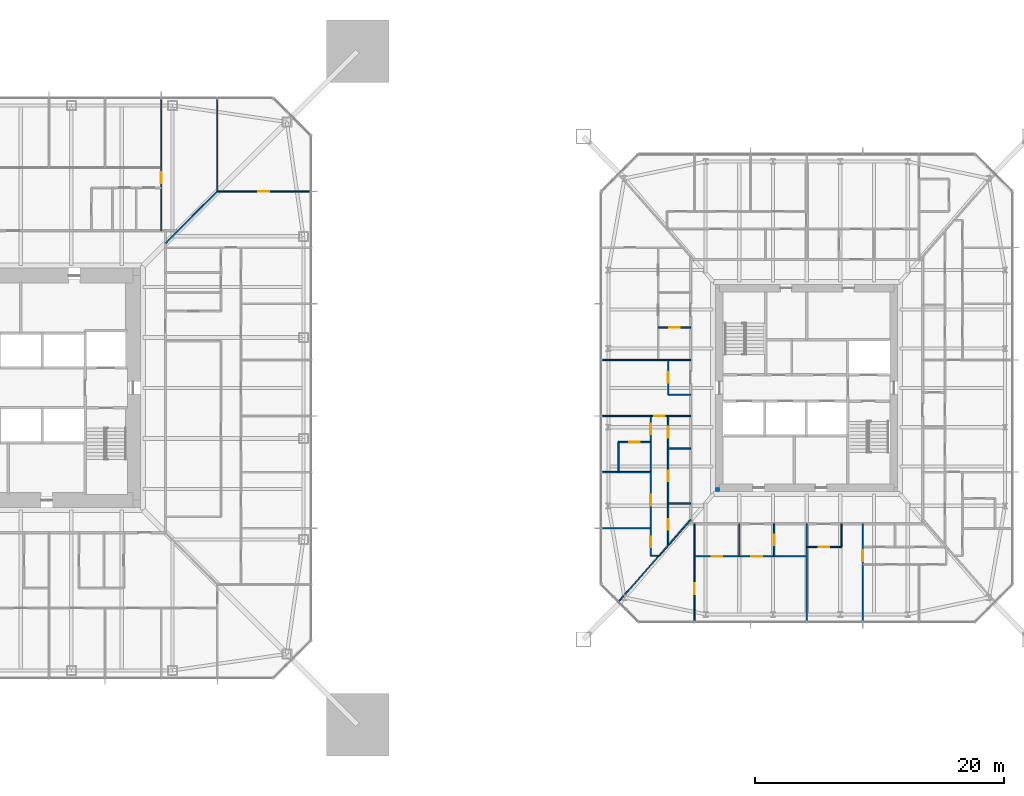
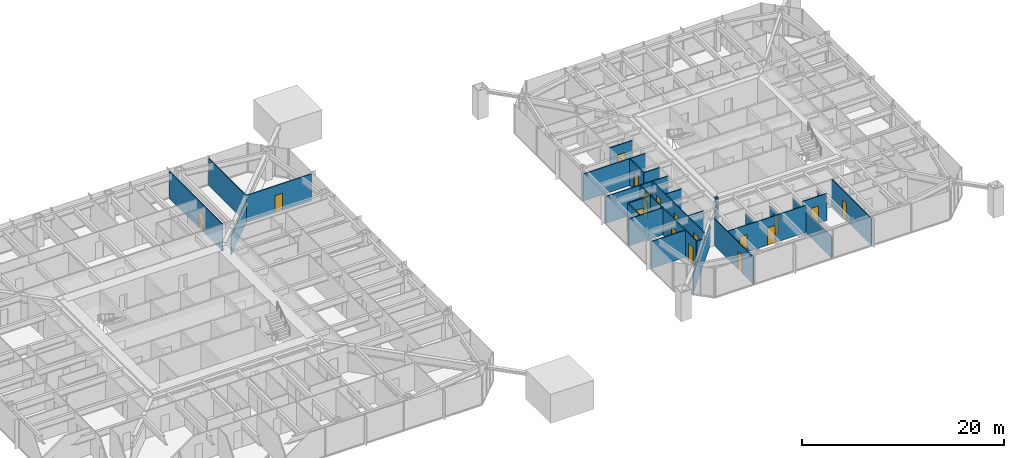
# One storey, part 18 of 26: 28 walls, 18 doors, 18 openings.
"""IFC4 building model written with IfcOpenShell, lengths in metres."""

from ifc_helpers import new_model, si_unit, direction, frame, frame_2d, origin, place, context, subcontext, project, spatial, rectangle, extrude, material, layer, layer_set, type_object, element, fill, save


model = new_model("IFC4")

# Units and contexts
model_context = context("Model", 3, precision=1e-05, world=origin(), true_north=direction((0.0, 1.0)))
body_context = subcontext(model_context, "Body", "Model", "MODEL_VIEW")
ifc_project = project(units=[si_unit("LENGTHUNIT", "METRE"), si_unit("AREAUNIT", "SQUARE_METRE"), si_unit("VOLUMEUNIT", "CUBIC_METRE"), si_unit("PLANEANGLEUNIT", "RADIAN"), si_unit("MASSUNIT", "GRAM", prefix="KILO")], contexts=[model_context])

# Site, building, storey
site_placement = place(None, origin())
site = spatial("IfcSite", under=ifc_project, at=site_placement, CompositionType="ELEMENT")
building_placement = place(site_placement, origin())
building = spatial("IfcBuilding", under=site, at=building_placement, Name="Iwan Alto Co-Living Towers", CompositionType="ELEMENT")
storey_placement = place(building_placement, frame((0.0, 0.0, 57.0)))
storey = spatial("IfcBuildingStorey", under=building, at=storey_placement, Name="L15", CompositionType="ELEMENT", Elevation=57.0)

# Wall, openings, doors
ifc_material_1 = material(Name="Gypsum board")
ifc_layer_1 = layer(ifc_material_1, 0.012451171875, Name="Board", Category="Finish")
ifc_material_2 = material(Name="Steel ASTM A1003 ST33H cold-formed studs", Category="steel")
ifc_layer_2 = layer(ifc_material_2, 0.074951171875, Name="Studs", Category="Framing")
ifc_layer_3 = layer(ifc_material_1, 0.012451171875, Name="Board", Category="Finish")
ifc_layer_set_1 = layer_set([ifc_layer_1, ifc_layer_2, ifc_layer_3], Name="PARTITION 100")
wall_type_1 = type_object("IfcWallType", Name="PARTITION 100", PredefinedType="PARTITIONING", material=ifc_layer_set_1)
wall_1_placement = place(storey_placement, frame((54.0, -13.5, 0.0), z_axis=(0.0, 0.0, 1.0), x_axis=(1.0, 0.0, 0.0)))
wall_1 = element("IfcWall", 1, at=wall_1_placement, inside=storey, type_object=wall_type_1, Name="Partition L15", PredefinedType="PARTITIONING", context=body_context, shape_type="SweptSolid", body=[
    extrude(rectangle(XDim=9.0, YDim=0.10009765625, at=frame_2d((4.5, 0.0))), origin(), (0.0, 0.0, 1.0), 3.27001953125),
])
opening_1_placement = place(wall_1_placement, frame((1.375, 0.0, 0.0)))
opening_1 = element("IfcOpeningElement", 2, at=opening_1_placement, cuts=wall_1, Name="Opening D2", PredefinedType="OPENING", context=body_context, shape_type="SweptSolid", body=[
    extrude(rectangle(XDim=0.85009765625, YDim=2.10009765625, at=frame_2d((0.425048828125, 1.050048828125))), frame((0.0, 0.06005859375, 0.0), z_axis=(0.0, -1.0, 0.0), x_axis=(1.0, 0.0, 0.0)), (0.0, 0.0, 1.0), 0.1201171875),
])
opening_2_placement = place(wall_1_placement, frame((4.574951171875, 0.0, 0.0)))
opening_2 = element("IfcOpeningElement", 3, at=opening_2_placement, cuts=wall_1, Name="Opening D2", PredefinedType="OPENING", context=body_context, shape_type="SweptSolid", body=[
    extrude(rectangle(XDim=0.85009765625, YDim=2.10009765625, at=frame_2d((0.425048828125, 1.050048828125))), frame((0.0, 0.06005859375, 0.0), z_axis=(0.0, -1.0, 0.0), x_axis=(1.0, 0.0, 0.0)), (0.0, 0.0, 1.0), 0.1201171875),
])
ifc_material_3 = material(Name="Timber leaf in steel frame", Category="steel")
door_type = type_object("IfcDoorType", Name="ROOM DOOR 850X2100", OperationType="SINGLE_SWING_LEFT", PredefinedType="DOOR", material=ifc_material_3)
door_1_placement = place(opening_1_placement, frame((0.85009765625, 0.0, 0.0), z_axis=(0.0, 0.0, 1.0), x_axis=(-1.0, 0.0, 0.0)))
door_1 = element("IfcDoor", 4, at=door_1_placement, inside=storey, type_object=door_type, Name="Kitchen door L15", OperationType="SINGLE_SWING_RIGHT", OverallHeight=2.10009765625, OverallWidth=0.85009765625, PredefinedType="DOOR", context=body_context, shape_type="SweptSolid", body=[
    extrude(rectangle(XDim=0.85009765625, YDim=2.10009765625, at=frame_2d((0.425048828125, 1.050048828125))), frame((0.0, 0.02490234375, 0.0), z_axis=(0.0, -1.0, 0.0), x_axis=(1.0, 0.0, 0.0)), (0.0, 0.0, 1.0), 0.050048828125),
])
fill(opening_1, door_1)
door_2_placement = place(opening_2_placement, frame((0.85009765625, 0.0, 0.0), z_axis=(0.0, 0.0, 1.0), x_axis=(-1.0, 0.0, 0.0)))
door_2 = element("IfcDoor", 5, at=door_2_placement, inside=storey, type_object=door_type, Name="Apartment foyer door L15", OperationType="SINGLE_SWING_LEFT", OverallHeight=2.10009765625, OverallWidth=0.85009765625, PredefinedType="DOOR", context=body_context, shape_type="SweptSolid", body=[
    extrude(rectangle(XDim=0.85009765625, YDim=2.10009765625, at=frame_2d((0.425048828125, 1.050048828125))), frame((0.0, 0.02490234375, 0.0), z_axis=(0.0, -1.0, 0.0), x_axis=(1.0, 0.0, 0.0)), (0.0, 0.0, 1.0), 0.050048828125),
])
fill(opening_2, door_2)

# Wall
wall_2_placement = place(storey_placement, frame((50.5, -13.449951171875, 0.0), z_axis=(0.0, 0.0, 1.0), x_axis=(1.0, 0.0, 0.0)))
element("IfcWall", 6, at=wall_2_placement, inside=storey, type_object=wall_type_1, Name="Partition L15", PredefinedType="PARTITIONING", context=body_context, shape_type="SweptSolid", body=[
    extrude(rectangle(XDim=0.6640625, YDim=0.10009765625, at=frame_2d((0.33203125, 0.0))), origin(), (0.0, 0.0, 1.0), 3.27001953125),
])

# Wall, opening, door
wall_3_placement = place(storey_placement, frame((63.0, -12.75, 0.0), z_axis=(0.0, 0.0, 1.0), x_axis=(1.0, 0.0, 0.0)))
wall_3 = element("IfcWall", 7, at=wall_3_placement, inside=storey, type_object=wall_type_1, Name="Partition L15", PredefinedType="PARTITIONING", context=body_context, shape_type="SweptSolid", body=[
    extrude(rectangle(XDim=2.800048828125, YDim=0.10009765625, at=frame_2d((1.39990234375, 0.0))), origin(), (0.0, 0.0, 1.0), 3.27001953125),
])
opening_3_placement = place(wall_3_placement, frame((0.97509765625, 0.0, 0.0)))
opening_3 = element("IfcOpeningElement", 8, at=opening_3_placement, cuts=wall_3, Name="Opening D2", PredefinedType="OPENING", context=body_context, shape_type="SweptSolid", body=[
    extrude(rectangle(XDim=0.85009765625, YDim=2.10009765625, at=frame_2d((0.425048828125, 1.050048828125))), frame((0.0, 0.06005859375, 0.0), z_axis=(0.0, -1.0, 0.0), x_axis=(1.0, 0.0, 0.0)), (0.0, 0.0, 1.0), 0.1201171875),
])
door_3_placement = place(opening_3_placement, frame((0.85009765625, 0.0, 0.0), z_axis=(0.0, 0.0, 1.0), x_axis=(-1.0, 0.0, 0.0)))
door_3 = element("IfcDoor", 9, at=door_3_placement, inside=storey, type_object=door_type, Name="Apartment foyer door L15", OperationType="SINGLE_SWING_RIGHT", OverallHeight=2.10009765625, OverallWidth=0.85009765625, PredefinedType="DOOR", context=body_context, shape_type="SweptSolid", body=[
    extrude(rectangle(XDim=0.85009765625, YDim=2.10009765625, at=frame_2d((0.425048828125, 1.050048828125))), frame((0.0, 0.02490234375, 0.0), z_axis=(0.0, -1.0, 0.0), x_axis=(1.0, 0.0, 0.0)), (0.0, 0.0, 1.0), 0.050048828125),
])
fill(opening_3, door_3)

# Wall
wall_4_placement = place(storey_placement, frame((46.56005859375, -11.25, 0.0), z_axis=(0.0, 0.0, 1.0), x_axis=(1.0, 0.0, 0.0)))
element("IfcWall", 10, at=wall_4_placement, inside=storey, type_object=wall_type_1, Name="Partition L15", PredefinedType="PARTITIONING", context=body_context, shape_type="SweptSolid", body=[
    extrude(rectangle(XDim=3.93994140625, YDim=0.10009765625, at=frame_2d((1.969970703125, 0.0))), origin(), (0.0, 0.0, 1.0), 3.27001953125),
])

# Wall, opening, door
wall_5_placement = place(storey_placement, frame((46.56005859375, -2.25, 0.0), z_axis=(0.0, 0.0, 1.0), x_axis=(1.0, 0.0, 0.0)))
wall_5 = element("IfcWall", 11, at=wall_5_placement, inside=storey, type_object=wall_type_1, Name="Partition L15", PredefinedType="PARTITIONING", context=body_context, shape_type="SweptSolid", body=[
    extrude(rectangle(XDim=7.139892578125, YDim=0.10009765625, at=frame_2d((3.56982421875, 0.0))), origin(), (0.0, 0.0, 1.0), 3.27001953125),
])
opening_4_placement = place(wall_5_placement, frame((4.215087890625, 0.0, 0.0)))
opening_4 = element("IfcOpeningElement", 12, at=opening_4_placement, cuts=wall_5, Name="Opening D2", PredefinedType="OPENING", context=body_context, shape_type="SweptSolid", body=[
    extrude(rectangle(XDim=0.85009765625, YDim=2.10009765625, at=frame_2d((0.425048828125, 1.050048828125))), frame((0.0, 0.06005859375, 0.0), z_axis=(0.0, -1.0, 0.0), x_axis=(1.0, 0.0, 0.0)), (0.0, 0.0, 1.0), 0.1201171875),
])
door_4_placement = place(opening_4_placement, origin())
door_4 = element("IfcDoor", 13, at=door_4_placement, inside=storey, type_object=door_type, Name="Apartment hall door L15", OperationType="SINGLE_SWING_RIGHT", OverallHeight=2.10009765625, OverallWidth=0.85009765625, PredefinedType="DOOR", context=body_context, shape_type="SweptSolid", body=[
    extrude(rectangle(XDim=0.85009765625, YDim=2.10009765625, at=frame_2d((0.425048828125, 1.050048828125))), frame((0.0, 0.02490234375, 0.0), z_axis=(0.0, -1.0, 0.0), x_axis=(1.0, 0.0, 0.0)), (0.0, 0.0, 1.0), 0.050048828125),
])
fill(opening_4, door_4)

# Walls
wall_6_placement = place(storey_placement, frame((51.89990234375, -0.550048828125, 0.0), z_axis=(0.0, 0.0, 1.0), x_axis=(1.0, 0.0, 0.0)))
element("IfcWall", 14, at=wall_6_placement, inside=storey, type_object=wall_type_1, Name="Partition L15", PredefinedType="PARTITIONING", context=body_context, shape_type="SweptSolid", body=[
    extrude(rectangle(XDim=1.800048828125, YDim=0.10009765625, at=frame_2d((0.89990234375, 0.0))), origin(), (0.0, 0.0, 1.0), 3.27001953125),
])
wall_7_placement = place(storey_placement, frame((46.56005859375, 2.25, 0.0), z_axis=(0.0, 0.0, 1.0), x_axis=(1.0, 0.0, 0.0)))
element("IfcWall", 15, at=wall_7_placement, inside=storey, type_object=wall_type_1, Name="Partition L15", PredefinedType="PARTITIONING", context=body_context, shape_type="SweptSolid", body=[
    extrude(rectangle(XDim=7.139892578125, YDim=0.10009765625, at=frame_2d((3.56982421875, 0.0))), origin(), (0.0, 0.0, 1.0), 3.27001953125),
])

# Wall, opening, door
wall_8_placement = place(storey_placement, frame((15.75, 15.75, 0.0), z_axis=(0.0, 0.0, 1.0), x_axis=(1.0, 0.0, 0.0)))
wall_8 = element("IfcWall", 16, at=wall_8_placement, inside=storey, type_object=wall_type_1, Name="Partition L15", PredefinedType="PARTITIONING", context=body_context, shape_type="SweptSolid", body=[
    extrude(rectangle(XDim=7.43994140625, YDim=0.10009765625, at=frame_2d((3.719970703125, 0.0))), origin(), (0.0, 0.0, 1.0), 3.27001953125),
])
opening_5_placement = place(wall_8_placement, frame((3.294921875, 0.0, 0.0)))
opening_5 = element("IfcOpeningElement", 17, at=opening_5_placement, cuts=wall_8, Name="Opening D2", PredefinedType="OPENING", context=body_context, shape_type="SweptSolid", body=[
    extrude(rectangle(XDim=0.85009765625, YDim=2.10009765625, at=frame_2d((0.425048828125, 1.050048828125))), frame((0.0, 0.06005859375, 0.0), z_axis=(0.0, -1.0, 0.0), x_axis=(1.0, 0.0, 0.0)), (0.0, 0.0, 1.0), 0.1201171875),
])
door_5_placement = place(opening_5_placement, origin())
door_5 = element("IfcDoor", 18, at=door_5_placement, inside=storey, type_object=door_type, Name="Shared kitchen and lounge door L15", OperationType="SINGLE_SWING_LEFT", OverallHeight=2.10009765625, OverallWidth=0.85009765625, PredefinedType="DOOR", context=body_context, shape_type="SweptSolid", body=[
    extrude(rectangle(XDim=0.85009765625, YDim=2.10009765625, at=frame_2d((0.425048828125, 1.050048828125))), frame((0.0, 0.02490234375, 0.0), z_axis=(0.0, -1.0, 0.0), x_axis=(1.0, 0.0, 0.0)), (0.0, 0.0, 1.0), 0.050048828125),
])
fill(opening_5, door_5)

# Walls
wall_9_placement = place(storey_placement, frame((11.60009765625, 11.60009765625, 0.0), z_axis=(0.0, 0.0, 1.0), x_axis=(0.707106781187, 0.707106781187, 0.0)))
element("IfcWall", 19, at=wall_9_placement, inside=storey, type_object=wall_type_1, Name="Partition L15", PredefinedType="PARTITIONING", context=body_context, shape_type="SweptSolid", body=[
    extrude(rectangle(XDim=5.868896484375, YDim=0.10009765625, at=frame_2d((2.9345703125, 0.0))), origin(), (0.0, 0.0, 1.0), 2.343017578125),
])
wall_10_placement = place(storey_placement, frame((47.944091796875, -17.10888671875, 0.0), z_axis=(0.0, 0.0, 1.0), x_axis=(0.660612734851, 0.750726857487, 0.0)))
element("IfcWall", 20, at=wall_10_placement, inside=storey, type_object=wall_type_1, Name="Partition L15", PredefinedType="PARTITIONING", context=body_context, shape_type="SweptSolid", body=[
    extrude(rectangle(XDim=8.712890625, YDim=0.10009765625, at=frame_2d((4.3564453125, 0.0))), origin(), (0.0, 0.0, 1.0), 2.42919921875),
])

# Wall, opening, door
wall_11_placement = place(storey_placement, frame((67.5, -18.68994140625, 0.0), z_axis=(0.0, 0.0, 1.0), x_axis=(0.0, 1.0, 0.0)))
wall_11 = element("IfcWall", 21, at=wall_11_placement, inside=storey, type_object=wall_type_1, Name="Partition L15", PredefinedType="PARTITIONING", context=body_context, shape_type="SweptSolid", body=[
    extrude(rectangle(XDim=7.7900390625, YDim=0.10009765625, at=frame_2d((3.89501953125, 0.0))), origin(), (0.0, 0.0, 1.0), 3.27001953125),
])
opening_6_placement = place(wall_11_placement, frame((4.81494140625, 0.0, 0.0)))
opening_6 = element("IfcOpeningElement", 22, at=opening_6_placement, cuts=wall_11, Name="Opening D2", PredefinedType="OPENING", context=body_context, shape_type="SweptSolid", body=[
    extrude(rectangle(XDim=0.85009765625, YDim=2.10009765625, at=frame_2d((0.425048828125, 1.050048828125))), frame((0.0, 0.06005859375, 0.0), z_axis=(0.0, -1.0, 0.0), x_axis=(1.0, 0.0, 0.0)), (0.0, 0.0, 1.0), 0.1201171875),
])
door_6_placement = place(opening_6_placement, origin())
door_6 = element("IfcDoor", 23, at=door_6_placement, inside=storey, type_object=door_type, Name="Apartment hall door L15", OperationType="SINGLE_SWING_RIGHT", OverallHeight=2.10009765625, OverallWidth=0.85009765625, PredefinedType="DOOR", context=body_context, shape_type="SweptSolid", body=[
    extrude(rectangle(XDim=0.85009765625, YDim=2.10009765625, at=frame_2d((0.425048828125, 1.050048828125))), frame((0.0, 0.02490234375, 0.0), z_axis=(0.0, -1.0, 0.0), x_axis=(1.0, 0.0, 0.0)), (0.0, 0.0, 1.0), 0.050048828125),
])
fill(opening_6, door_6)

# Walls
wall_12_placement = place(storey_placement, frame((65.800048828125, -12.75, 0.0), z_axis=(0.0, 0.0, 1.0), x_axis=(0.0, 1.0, 0.0)))
element("IfcWall", 24, at=wall_12_placement, inside=storey, type_object=wall_type_1, Name="Partition L15", PredefinedType="PARTITIONING", context=body_context, shape_type="SweptSolid", body=[
    extrude(rectangle(XDim=1.85009765625, YDim=0.10009765625, at=frame_2d((0.925048828125, 0.0))), origin(), (0.0, 0.0, 1.0), 2.508056640625),
])
wall_13_placement = place(storey_placement, frame((63.0, -18.68994140625, 0.0), z_axis=(0.0, 0.0, 1.0), x_axis=(0.0, 1.0, 0.0)))
element("IfcWall", 25, at=wall_13_placement, inside=storey, type_object=wall_type_1, Name="Partition L15", PredefinedType="PARTITIONING", context=body_context, shape_type="SweptSolid", body=[
    extrude(rectangle(XDim=7.7900390625, YDim=0.10009765625, at=frame_2d((3.89501953125, 0.0))), origin(), (0.0, 0.0, 1.0), 2.586669921875),
])
wall_14_placement = place(storey_placement, frame((57.60009765625, -13.5, 0.0), z_axis=(0.0, 0.0, 1.0), x_axis=(0.0, 1.0, 0.0)))
element("IfcWall", 26, at=wall_14_placement, inside=storey, type_object=wall_type_1, Name="Partition L15", PredefinedType="PARTITIONING", context=body_context, shape_type="SweptSolid", body=[
    extrude(rectangle(XDim=2.60009765625, YDim=0.10009765625, at=frame_2d((1.300048828125, 0.0))), origin(), (0.0, 0.0, 1.0), 2.586669921875),
])

# Wall, opening, door
wall_15_placement = place(storey_placement, frame((54.0, -18.68994140625, 0.0), z_axis=(0.0, 0.0, 1.0), x_axis=(0.0, 1.0, 0.0)))
wall_15 = element("IfcWall", 27, at=wall_15_placement, inside=storey, type_object=wall_type_1, Name="Partition L15", PredefinedType="PARTITIONING", context=body_context, shape_type="SweptSolid", body=[
    extrude(rectangle(XDim=7.7900390625, YDim=0.10009765625, at=frame_2d((3.89501953125, 0.0))), origin(), (0.0, 0.0, 1.0), 3.27001953125),
])
opening_7_placement = place(wall_15_placement, frame((2.169921875, 0.0, 0.0)))
opening_7 = element("IfcOpeningElement", 28, at=opening_7_placement, cuts=wall_15, Name="Opening D2", PredefinedType="OPENING", context=body_context, shape_type="SweptSolid", body=[
    extrude(rectangle(XDim=0.85009765625, YDim=2.10009765625, at=frame_2d((0.425048828125, 1.050048828125))), frame((0.0, 0.06005859375, 0.0), z_axis=(0.0, -1.0, 0.0), x_axis=(1.0, 0.0, 0.0)), (0.0, 0.0, 1.0), 0.1201171875),
])
door_7_placement = place(opening_7_placement, frame((0.85009765625, 0.0, 0.0), z_axis=(0.0, 0.0, 1.0), x_axis=(-1.0, 0.0, 0.0)))
door_7 = element("IfcDoor", 29, at=door_7_placement, inside=storey, type_object=door_type, Name="Bedroom door L15", OperationType="SINGLE_SWING_LEFT", OverallHeight=2.10009765625, OverallWidth=0.85009765625, PredefinedType="DOOR", context=body_context, shape_type="SweptSolid", body=[
    extrude(rectangle(XDim=0.85009765625, YDim=2.10009765625, at=frame_2d((0.425048828125, 1.050048828125))), frame((0.0, 0.02490234375, 0.0), z_axis=(0.0, -1.0, 0.0), x_axis=(1.0, 0.0, 0.0)), (0.0, 0.0, 1.0), 0.050048828125),
])
fill(opening_7, door_7)

wall_16_placement = place(storey_placement, frame((51.89990234375, -0.550048828125, 0.0), z_axis=(0.0, 0.0, 1.0), x_axis=(0.0, 1.0, 0.0)))
wall_16 = element("IfcWall", 30, at=wall_16_placement, inside=storey, type_object=wall_type_1, Name="Partition L15", PredefinedType="PARTITIONING", context=body_context, shape_type="SweptSolid", body=[
    extrude(rectangle(XDim=2.800048828125, YDim=0.10009765625, at=frame_2d((1.39990234375, 0.0))), origin(), (0.0, 0.0, 1.0), 3.27001953125),
])
opening_8_placement = place(wall_16_placement, frame((0.97509765625, 0.0, 0.0)))
opening_8 = element("IfcOpeningElement", 31, at=opening_8_placement, cuts=wall_16, Name="Opening D2", PredefinedType="OPENING", context=body_context, shape_type="SweptSolid", body=[
    extrude(rectangle(XDim=0.85009765625, YDim=2.10009765625, at=frame_2d((0.425048828125, 1.050048828125))), frame((0.0, 0.06005859375, 0.0), z_axis=(0.0, -1.0, 0.0), x_axis=(1.0, 0.0, 0.0)), (0.0, 0.0, 1.0), 0.1201171875),
])
door_8_placement = place(opening_8_placement, origin())
door_8 = element("IfcDoor", 32, at=door_8_placement, inside=storey, type_object=door_type, Name="Apartment foyer door L15", OperationType="SINGLE_SWING_RIGHT", OverallHeight=2.10009765625, OverallWidth=0.85009765625, PredefinedType="DOOR", context=body_context, shape_type="SweptSolid", body=[
    extrude(rectangle(XDim=0.85009765625, YDim=2.10009765625, at=frame_2d((0.425048828125, 1.050048828125))), frame((0.0, 0.02490234375, 0.0), z_axis=(0.0, -1.0, 0.0), x_axis=(1.0, 0.0, 0.0)), (0.0, 0.0, 1.0), 0.050048828125),
])
fill(opening_8, door_8)

# Wall, openings, doors
wall_17_placement = place(storey_placement, frame((50.5, -13.449951171875, 0.0), z_axis=(0.0, 0.0, 1.0), x_axis=(0.0, 1.0, 0.0)))
wall_17 = element("IfcWall", 33, at=wall_17_placement, inside=storey, type_object=wall_type_1, Name="Partition L15", PredefinedType="PARTITIONING", context=body_context, shape_type="SweptSolid", body=[
    extrude(rectangle(XDim=11.199951171875, YDim=0.10009765625, at=frame_2d((5.60009765625, 0.0))), origin(), (0.0, 0.0, 1.0), 3.27001953125),
])
opening_9_placement = place(wall_17_placement, frame((9.72509765625, 0.0, 0.0)))
opening_9 = element("IfcOpeningElement", 34, at=opening_9_placement, cuts=wall_17, Name="Opening D2", PredefinedType="OPENING", context=body_context, shape_type="SweptSolid", body=[
    extrude(rectangle(XDim=0.85009765625, YDim=2.10009765625, at=frame_2d((0.425048828125, 1.050048828125))), frame((0.0, 0.06005859375, 0.0), z_axis=(0.0, -1.0, 0.0), x_axis=(1.0, 0.0, 0.0)), (0.0, 0.0, 1.0), 0.1201171875),
])
opening_10_placement = place(wall_17_placement, frame((4.02490234375, 0.0, 0.0)))
opening_10 = element("IfcOpeningElement", 35, at=opening_10_placement, cuts=wall_17, Name="Opening D2", PredefinedType="OPENING", context=body_context, shape_type="SweptSolid", body=[
    extrude(rectangle(XDim=0.85009765625, YDim=2.10009765625, at=frame_2d((0.425048828125, 1.050048828125))), frame((0.0, 0.06005859375, 0.0), z_axis=(0.0, -1.0, 0.0), x_axis=(1.0, 0.0, 0.0)), (0.0, 0.0, 1.0), 0.1201171875),
])
opening_11_placement = place(wall_17_placement, frame((0.675048828125, 0.0, 0.0)))
opening_11 = element("IfcOpeningElement", 36, at=opening_11_placement, cuts=wall_17, Name="Opening D2", PredefinedType="OPENING", context=body_context, shape_type="SweptSolid", body=[
    extrude(rectangle(XDim=0.85009765625, YDim=2.10009765625, at=frame_2d((0.425048828125, 1.050048828125))), frame((0.0, 0.06005859375, 0.0), z_axis=(0.0, -1.0, 0.0), x_axis=(1.0, 0.0, 0.0)), (0.0, 0.0, 1.0), 0.1201171875),
])
door_9_placement = place(opening_9_placement, origin())
door_9 = element("IfcDoor", 37, at=door_9_placement, inside=storey, type_object=door_type, Name="Bedroom door L15", OperationType="SINGLE_SWING_LEFT", OverallHeight=2.10009765625, OverallWidth=0.85009765625, PredefinedType="DOOR", context=body_context, shape_type="SweptSolid", body=[
    extrude(rectangle(XDim=0.85009765625, YDim=2.10009765625, at=frame_2d((0.425048828125, 1.050048828125))), frame((0.0, 0.02490234375, 0.0), z_axis=(0.0, -1.0, 0.0), x_axis=(1.0, 0.0, 0.0)), (0.0, 0.0, 1.0), 0.050048828125),
])
fill(opening_9, door_9)
door_10_placement = place(opening_10_placement, origin())
door_10 = element("IfcDoor", 38, at=door_10_placement, inside=storey, type_object=door_type, Name="Bedroom door L15", OperationType="SINGLE_SWING_LEFT", OverallHeight=2.10009765625, OverallWidth=0.85009765625, PredefinedType="DOOR", context=body_context, shape_type="SweptSolid", body=[
    extrude(rectangle(XDim=0.85009765625, YDim=2.10009765625, at=frame_2d((0.425048828125, 1.050048828125))), frame((0.0, 0.02490234375, 0.0), z_axis=(0.0, -1.0, 0.0), x_axis=(1.0, 0.0, 0.0)), (0.0, 0.0, 1.0), 0.050048828125),
])
fill(opening_10, door_10)
door_11_placement = place(opening_11_placement, origin())
door_11 = element("IfcDoor", 39, at=door_11_placement, inside=storey, type_object=door_type, Name="Bedroom door L15", OperationType="SINGLE_SWING_RIGHT", OverallHeight=2.10009765625, OverallWidth=0.85009765625, PredefinedType="DOOR", context=body_context, shape_type="SweptSolid", body=[
    extrude(rectangle(XDim=0.85009765625, YDim=2.10009765625, at=frame_2d((0.425048828125, 1.050048828125))), frame((0.0, 0.02490234375, 0.0), z_axis=(0.0, -1.0, 0.0), x_axis=(1.0, 0.0, 0.0)), (0.0, 0.0, 1.0), 0.050048828125),
])
fill(opening_11, door_11)

# Wall
wall_18_placement = place(storey_placement, frame((15.75, 15.75, 0.0), z_axis=(0.0, 0.0, 1.0), x_axis=(0.0, 1.0, 0.0)))
element("IfcWall", 40, at=wall_18_placement, inside=storey, type_object=wall_type_1, Name="Partition L15", PredefinedType="PARTITIONING", context=body_context, shape_type="SweptSolid", body=[
    extrude(rectangle(XDim=7.43994140625, YDim=0.10009765625, at=frame_2d((3.719970703125, 0.0))), origin(), (0.0, 0.0, 1.0), 3.27001953125),
])

# Wall, opening, door
wall_19_placement = place(storey_placement, frame((11.25, 12.60009765625, 0.0), z_axis=(0.0, 0.0, 1.0), x_axis=(0.0, 1.0, 0.0)))
wall_19 = element("IfcWall", 41, at=wall_19_placement, inside=storey, type_object=wall_type_1, Name="Partition L15", PredefinedType="PARTITIONING", context=body_context, shape_type="SweptSolid", body=[
    extrude(rectangle(XDim=10.58984375, YDim=0.10009765625, at=frame_2d((5.294921875, 0.0))), origin(), (0.0, 0.0, 1.0), 3.27001953125),
])
opening_12_placement = place(wall_19_placement, frame((3.824951171875, 0.0, 0.0)))
opening_12 = element("IfcOpeningElement", 42, at=opening_12_placement, cuts=wall_19, Name="Opening D2", PredefinedType="OPENING", context=body_context, shape_type="SweptSolid", body=[
    extrude(rectangle(XDim=0.85009765625, YDim=2.10009765625, at=frame_2d((0.425048828125, 1.050048828125))), frame((0.0, 0.06005859375, 0.0), z_axis=(0.0, -1.0, 0.0), x_axis=(1.0, 0.0, 0.0)), (0.0, 0.0, 1.0), 0.1201171875),
])
door_12_placement = place(opening_12_placement, origin())
door_12 = element("IfcDoor", 43, at=door_12_placement, inside=storey, type_object=door_type, Name="Teaching kitchen door L15", OperationType="SINGLE_SWING_LEFT", OverallHeight=2.10009765625, OverallWidth=0.85009765625, PredefinedType="DOOR", context=body_context, shape_type="SweptSolid", body=[
    extrude(rectangle(XDim=0.85009765625, YDim=2.10009765625, at=frame_2d((0.425048828125, 1.050048828125))), frame((0.0, 0.02490234375, 0.0), z_axis=(0.0, -1.0, 0.0), x_axis=(1.0, 0.0, 0.0)), (0.0, 0.0, 1.0), 0.050048828125),
])
fill(opening_12, door_12)

# Walls
ifc_material_4 = material(Name="Concrete f'c 70 MPa", Category="concrete")
ifc_layer_4 = layer(ifc_material_4, 0.300048828125)
ifc_layer_set_2 = layer_set([ifc_layer_4], Name="T2 CORE CORNER FILL 300")
wall_type_2 = type_object("IfcWallType", Name="T2 CORE CORNER FILL 300", PredefinedType="SOLIDWALL", material=ifc_layer_set_2)
wall_20_placement = place(storey_placement, frame((55.699951171875, -8.14990234375, 0.0), z_axis=(0.0, 0.0, 1.0), x_axis=(1.0, 0.0, 0.0)))
element("IfcWall", 44, at=wall_20_placement, inside=storey, type_object=wall_type_2, Name="T2 core corner SW L15", PredefinedType="SOLIDWALL", context=body_context, shape_type="SweptSolid", body=[
    extrude(rectangle(XDim=0.300048828125, YDim=0.300048828125, at=frame_2d((0.14990234375, 0.0))), origin(), (0.0, 0.0, 1.0), 3.5),
])
ifc_material_5 = material(Name="Cement board")
ifc_layer_5 = layer(ifc_material_5, 0.012451171875, Name="Board", Category="Finish")
ifc_layer_6 = layer(ifc_material_2, 0.094970703125, Name="Studs", Category="Framing")
ifc_layer_7 = layer(ifc_material_5, 0.012451171875, Name="Board", Category="Finish")
ifc_layer_set_3 = layer_set([ifc_layer_5, ifc_layer_6, ifc_layer_7], Name="WET AREA PARTITION 120")
wall_type_3 = type_object("IfcWallType", Name="WET AREA PARTITION 120", PredefinedType="PARTITIONING", material=ifc_layer_set_3)
wall_21_placement = place(storey_placement, frame((51.89990234375, -9.25, 0.0), z_axis=(0.0, 0.0, 1.0), x_axis=(1.0, 0.0, 0.0)))
element("IfcWall", 45, at=wall_21_placement, inside=storey, type_object=wall_type_3, Name="Partition L15", PredefinedType="PARTITIONING", context=body_context, shape_type="SweptSolid", body=[
    extrude(rectangle(XDim=1.800048828125, YDim=0.1201171875, at=frame_2d((0.89990234375, 0.0))), origin(), (0.0, 0.0, 1.0), 3.27001953125),
])
wall_22_placement = place(storey_placement, frame((46.56005859375, -6.75, 0.0), z_axis=(0.0, 0.0, 1.0), x_axis=(1.0, 0.0, 0.0)))
element("IfcWall", 46, at=wall_22_placement, inside=storey, type_object=wall_type_3, Name="Partition L15", PredefinedType="PARTITIONING", context=body_context, shape_type="SweptSolid", body=[
    extrude(rectangle(XDim=3.93994140625, YDim=0.1201171875, at=frame_2d((1.969970703125, 0.0))), origin(), (0.0, 0.0, 1.0), 3.27001953125),
])
wall_23_placement = place(storey_placement, frame((51.89990234375, -4.85009765625, 0.0), z_axis=(0.0, 0.0, 1.0), x_axis=(1.0, 0.0, 0.0)))
element("IfcWall", 47, at=wall_23_placement, inside=storey, type_object=wall_type_3, Name="Partition L15", PredefinedType="PARTITIONING", context=body_context, shape_type="SweptSolid", body=[
    extrude(rectangle(XDim=1.800048828125, YDim=0.1201171875, at=frame_2d((0.89990234375, 0.0))), origin(), (0.0, 0.0, 1.0), 3.27001953125),
])

# Wall, opening, door
wall_24_placement = place(storey_placement, frame((47.89990234375, -4.35009765625, 0.0), z_axis=(0.0, 0.0, 1.0), x_axis=(1.0, 0.0, 0.0)))
wall_24 = element("IfcWall", 48, at=wall_24_placement, inside=storey, type_object=wall_type_3, Name="Partition L15", PredefinedType="PARTITIONING", context=body_context, shape_type="SweptSolid", body=[
    extrude(rectangle(XDim=2.60009765625, YDim=0.1201171875, at=frame_2d((1.300048828125, 0.0))), origin(), (0.0, 0.0, 1.0), 3.27001953125),
])
opening_13_placement = place(wall_24_placement, frame((0.875, 0.0, 0.0)))
opening_13 = element("IfcOpeningElement", 49, at=opening_13_placement, cuts=wall_24, Name="Opening D2", PredefinedType="OPENING", context=body_context, shape_type="SweptSolid", body=[
    extrude(rectangle(XDim=0.85009765625, YDim=2.10009765625, at=frame_2d((0.425048828125, 1.050048828125))), frame((0.0, 0.070068359375, 0.0), z_axis=(0.0, -1.0, 0.0), x_axis=(1.0, 0.0, 0.0)), (0.0, 0.0, 1.0), 0.14013671875),
])
door_13_placement = place(opening_13_placement, origin())
door_13 = element("IfcDoor", 50, at=door_13_placement, inside=storey, type_object=door_type, Name="En-suite shower room door L15", OperationType="SINGLE_SWING_RIGHT", OverallHeight=2.10009765625, OverallWidth=0.85009765625, PredefinedType="DOOR", context=body_context, shape_type="SweptSolid", body=[
    extrude(rectangle(XDim=0.85009765625, YDim=2.10009765625, at=frame_2d((0.425048828125, 1.050048828125))), frame((0.0, 0.02490234375, 0.0), z_axis=(0.0, -1.0, 0.0), x_axis=(1.0, 0.0, 0.0)), (0.0, 0.0, 1.0), 0.050048828125),
])
fill(opening_13, door_13)

wall_25_placement = place(storey_placement, frame((51.10009765625, 4.85009765625, 0.0), z_axis=(0.0, 0.0, 1.0), x_axis=(1.0, 0.0, 0.0)))
wall_25 = element("IfcWall", 51, at=wall_25_placement, inside=storey, type_object=wall_type_3, Name="Partition L15", PredefinedType="PARTITIONING", context=body_context, shape_type="SweptSolid", body=[
    extrude(rectangle(XDim=2.599853515625, YDim=0.1201171875, at=frame_2d((1.2998046875, 0.0))), origin(), (0.0, 0.0, 1.0), 3.27001953125),
])
opening_14_placement = place(wall_25_placement, frame((0.875, 0.0, 0.0)))
opening_14 = element("IfcOpeningElement", 52, at=opening_14_placement, cuts=wall_25, Name="Opening D2", PredefinedType="OPENING", context=body_context, shape_type="SweptSolid", body=[
    extrude(rectangle(XDim=0.85009765625, YDim=2.10009765625, at=frame_2d((0.425048828125, 1.050048828125))), frame((0.0, 0.070068359375, 0.0), z_axis=(0.0, -1.0, 0.0), x_axis=(1.0, 0.0, 0.0)), (0.0, 0.0, 1.0), 0.14013671875),
])
door_14_placement = place(opening_14_placement, frame((0.85009765625, 0.0, 0.0), z_axis=(0.0, 0.0, 1.0), x_axis=(-1.0, 0.0, 0.0)))
door_14 = element("IfcDoor", 53, at=door_14_placement, inside=storey, type_object=door_type, Name="Bathroom door L15", OperationType="SINGLE_SWING_RIGHT", OverallHeight=2.10009765625, OverallWidth=0.85009765625, PredefinedType="DOOR", context=body_context, shape_type="SweptSolid", body=[
    extrude(rectangle(XDim=0.85009765625, YDim=2.10009765625, at=frame_2d((0.425048828125, 1.050048828125))), frame((0.0, 0.02490234375, 0.0), z_axis=(0.0, -1.0, 0.0), x_axis=(1.0, 0.0, 0.0)), (0.0, 0.0, 1.0), 0.050048828125),
])
fill(opening_14, door_14)

wall_26_placement = place(storey_placement, frame((60.39990234375, -13.5, 0.0), z_axis=(0.0, 0.0, 1.0), x_axis=(0.0, 1.0, 0.0)))
wall_26 = element("IfcWall", 54, at=wall_26_placement, inside=storey, type_object=wall_type_3, Name="Partition L15", PredefinedType="PARTITIONING", context=body_context, shape_type="SweptSolid", body=[
    extrude(rectangle(XDim=2.60009765625, YDim=0.1201171875, at=frame_2d((1.300048828125, 0.0))), origin(), (0.0, 0.0, 1.0), 2.508056640625),
])
opening_15_placement = place(wall_26_placement, frame((0.875, 0.0, 0.0)))
opening_15 = element("IfcOpeningElement", 55, at=opening_15_placement, cuts=wall_26, Name="Opening D2", PredefinedType="OPENING", context=body_context, shape_type="SweptSolid", body=[
    extrude(rectangle(XDim=0.85009765625, YDim=2.10009765625, at=frame_2d((0.425048828125, 1.050048828125))), frame((0.0, 0.070068359375, 0.0), z_axis=(0.0, -1.0, 0.0), x_axis=(1.0, 0.0, 0.0)), (0.0, 0.0, 1.0), 0.14013671875),
])
door_15_placement = place(opening_15_placement, frame((0.85009765625, 0.0, 0.0), z_axis=(0.0, 0.0, 1.0), x_axis=(-1.0, 0.0, 0.0)))
door_15 = element("IfcDoor", 56, at=door_15_placement, inside=storey, type_object=door_type, Name="Bathroom door L15", OperationType="SINGLE_SWING_RIGHT", OverallHeight=2.10009765625, OverallWidth=0.85009765625, PredefinedType="DOOR", context=body_context, shape_type="SweptSolid", body=[
    extrude(rectangle(XDim=0.85009765625, YDim=2.10009765625, at=frame_2d((0.425048828125, 1.050048828125))), frame((0.0, 0.02490234375, 0.0), z_axis=(0.0, -1.0, 0.0), x_axis=(1.0, 0.0, 0.0)), (0.0, 0.0, 1.0), 0.050048828125),
])
fill(opening_15, door_15)

# Wall, openings, doors
wall_27_placement = place(storey_placement, frame((51.89990234375, -12.614013671875, 0.0), z_axis=(0.0, 0.0, 1.0), x_axis=(0.0, 1.0, 0.0)))
wall_27 = element("IfcWall", 57, at=wall_27_placement, inside=storey, type_object=wall_type_3, Name="Partition L15", PredefinedType="PARTITIONING", context=body_context, shape_type="SweptSolid", body=[
    extrude(rectangle(XDim=10.364013671875, YDim=0.1201171875, at=frame_2d((5.18212890625, 0.0))), origin(), (0.0, 0.0, 1.0), 3.27001953125),
])
opening_16_placement = place(wall_27_placement, frame((8.638916015625, 0.0, 0.0)))
opening_16 = element("IfcOpeningElement", 58, at=opening_16_placement, cuts=wall_27, Name="Opening D2", PredefinedType="OPENING", context=body_context, shape_type="SweptSolid", body=[
    extrude(rectangle(XDim=0.85009765625, YDim=2.10009765625, at=frame_2d((0.425048828125, 1.050048828125))), frame((0.0, 0.070068359375, 0.0), z_axis=(0.0, -1.0, 0.0), x_axis=(1.0, 0.0, 0.0)), (0.0, 0.0, 1.0), 0.14013671875),
])
opening_17_placement = place(wall_27_placement, frame((5.138916015625, 0.0, 0.0)))
opening_17 = element("IfcOpeningElement", 59, at=opening_17_placement, cuts=wall_27, Name="Opening D2", PredefinedType="OPENING", context=body_context, shape_type="SweptSolid", body=[
    extrude(rectangle(XDim=0.85009765625, YDim=2.10009765625, at=frame_2d((0.425048828125, 1.050048828125))), frame((0.0, 0.070068359375, 0.0), z_axis=(0.0, -1.0, 0.0), x_axis=(1.0, 0.0, 0.0)), (0.0, 0.0, 1.0), 0.14013671875),
])
opening_18_placement = place(wall_27_placement, frame((1.257080078125, 0.0, 0.0)))
opening_18 = element("IfcOpeningElement", 60, at=opening_18_placement, cuts=wall_27, Name="Opening D2", PredefinedType="OPENING", context=body_context, shape_type="SweptSolid", body=[
    extrude(rectangle(XDim=0.85009765625, YDim=2.10009765625, at=frame_2d((0.425048828125, 1.050048828125))), frame((0.0, 0.070068359375, 0.0), z_axis=(0.0, -1.0, 0.0), x_axis=(1.0, 0.0, 0.0)), (0.0, 0.0, 1.0), 0.14013671875),
])
door_16_placement = place(opening_16_placement, frame((0.85009765625, 0.0, 0.0), z_axis=(0.0, 0.0, 1.0), x_axis=(-1.0, 0.0, 0.0)))
door_16 = element("IfcDoor", 61, at=door_16_placement, inside=storey, type_object=door_type, Name="Bathroom door L15", OperationType="SINGLE_SWING_RIGHT", OverallHeight=2.10009765625, OverallWidth=0.85009765625, PredefinedType="DOOR", context=body_context, shape_type="SweptSolid", body=[
    extrude(rectangle(XDim=0.85009765625, YDim=2.10009765625, at=frame_2d((0.425048828125, 1.050048828125))), frame((0.0, 0.02490234375, 0.0), z_axis=(0.0, -1.0, 0.0), x_axis=(1.0, 0.0, 0.0)), (0.0, 0.0, 1.0), 0.050048828125),
])
fill(opening_16, door_16)
door_17_placement = place(opening_17_placement, frame((0.85009765625, 0.0, 0.0), z_axis=(0.0, 0.0, 1.0), x_axis=(-1.0, 0.0, 0.0)))
door_17 = element("IfcDoor", 62, at=door_17_placement, inside=storey, type_object=door_type, Name="Utility room door L15", OperationType="SINGLE_SWING_RIGHT", OverallHeight=2.10009765625, OverallWidth=0.85009765625, PredefinedType="DOOR", context=body_context, shape_type="SweptSolid", body=[
    extrude(rectangle(XDim=0.85009765625, YDim=2.10009765625, at=frame_2d((0.425048828125, 1.050048828125))), frame((0.0, 0.02490234375, 0.0), z_axis=(0.0, -1.0, 0.0), x_axis=(1.0, 0.0, 0.0)), (0.0, 0.0, 1.0), 0.050048828125),
])
fill(opening_17, door_17)
door_18_placement = place(opening_18_placement, frame((0.85009765625, 0.0, 0.0), z_axis=(0.0, 0.0, 1.0), x_axis=(-1.0, 0.0, 0.0)))
door_18 = element("IfcDoor", 63, at=door_18_placement, inside=storey, type_object=door_type, Name="Store room door L15", OperationType="SINGLE_SWING_RIGHT", OverallHeight=2.10009765625, OverallWidth=0.85009765625, PredefinedType="DOOR", context=body_context, shape_type="SweptSolid", body=[
    extrude(rectangle(XDim=0.85009765625, YDim=2.10009765625, at=frame_2d((0.425048828125, 1.050048828125))), frame((0.0, 0.02490234375, 0.0), z_axis=(0.0, -1.0, 0.0), x_axis=(1.0, 0.0, 0.0)), (0.0, 0.0, 1.0), 0.050048828125),
])
fill(opening_18, door_18)

# Wall
wall_28_placement = place(storey_placement, frame((47.89990234375, -6.75, 0.0), z_axis=(0.0, 0.0, 1.0), x_axis=(0.0, 1.0, 0.0)))
element("IfcWall", 64, at=wall_28_placement, inside=storey, type_object=wall_type_3, Name="Partition L15", PredefinedType="PARTITIONING", context=body_context, shape_type="SweptSolid", body=[
    extrude(rectangle(XDim=2.39990234375, YDim=0.1201171875, at=frame_2d((1.199951171875, 0.0))), origin(), (0.0, 0.0, 1.0), 3.27001953125),
])

save(model, "model.ifc")
